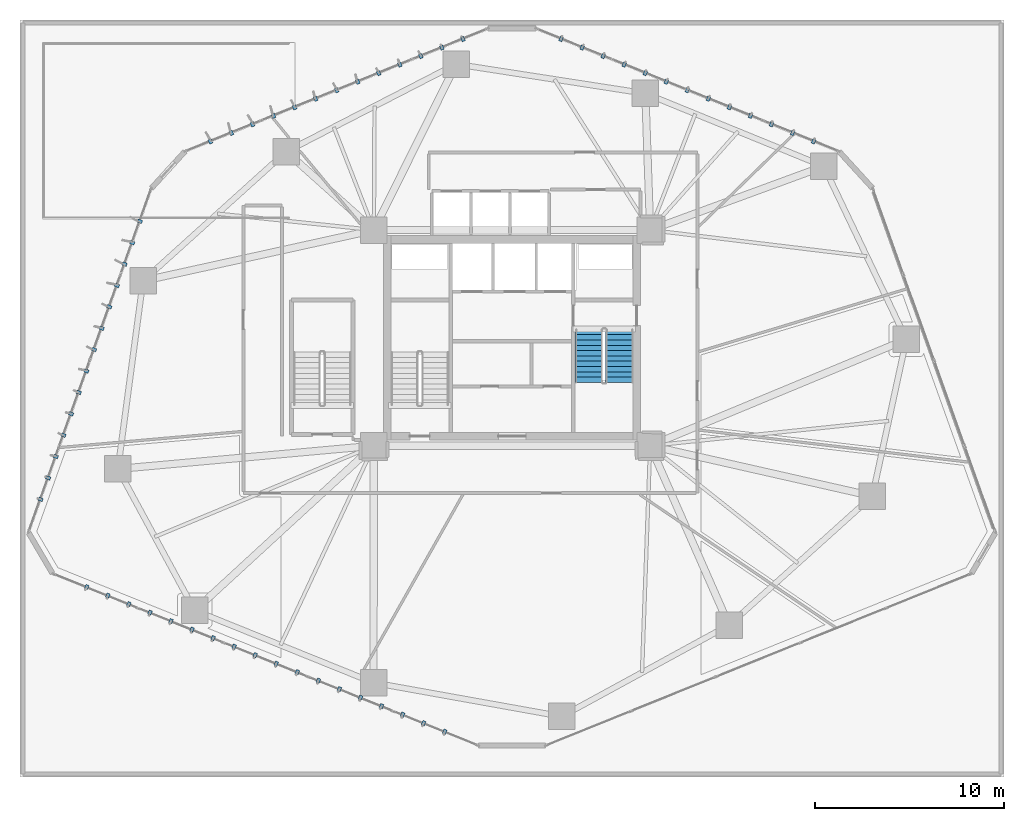
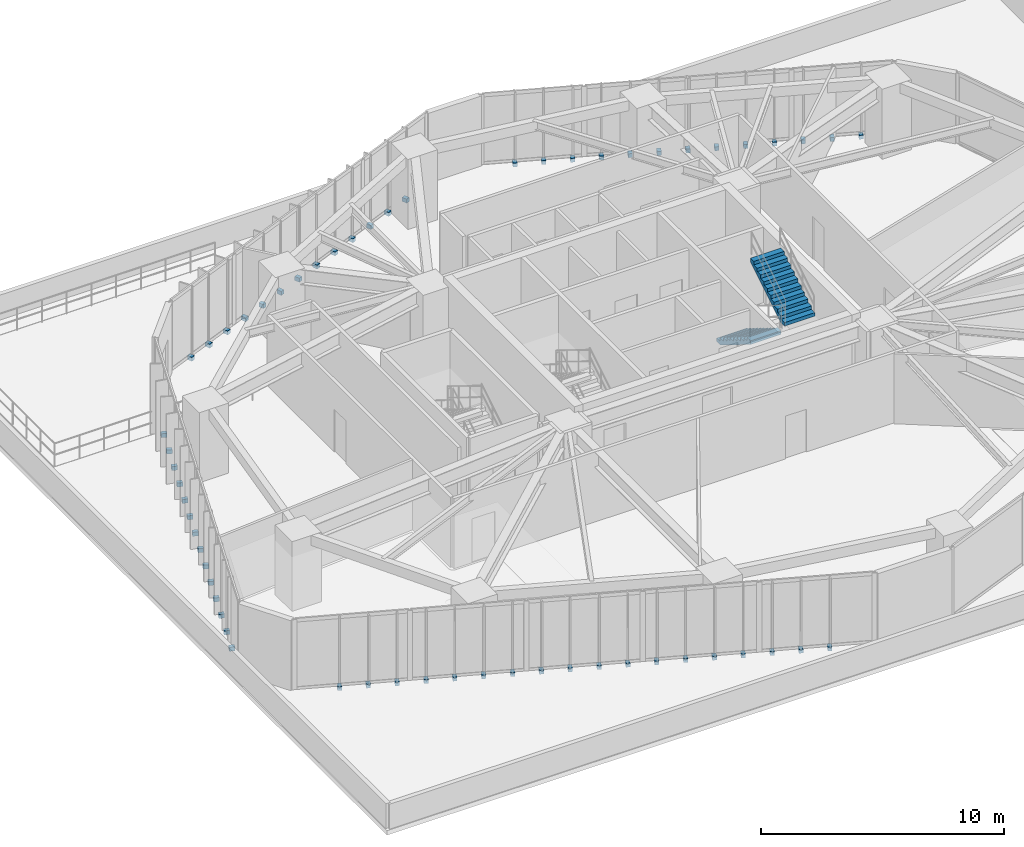
# One storey, part 20 of 23: 58 discrete accessories, 2 stair flights, 1 element without a shape of its own.
"""IFC4 building model written with IfcOpenShell, lengths in metres."""

from ifc_helpers import new_model, si_unit, direction, frame, origin, origin_2d, place, context, subcontext, project, spatial, polyline, rectangle, outline, extrude, source, transform, mapped, material, layer, layer_set, type_object, type_shapes, element, aggregate, save


model = new_model("IFC4")

# Units and contexts
model_context = context("Model", 3, precision=1e-05, world=origin(), true_north=direction((0.0, 1.0)))
body_context = subcontext(model_context, "Body", "Model", "MODEL_VIEW")
ifc_project = project(units=[si_unit("LENGTHUNIT", "METRE"), si_unit("AREAUNIT", "SQUARE_METRE"), si_unit("VOLUMEUNIT", "CUBIC_METRE"), si_unit("PLANEANGLEUNIT", "RADIAN"), si_unit("MASSUNIT", "GRAM", prefix="KILO")], contexts=[model_context])

# Site, building, storey
site_placement = place(None, origin())
site = spatial("IfcSite", under=ifc_project, at=site_placement, CompositionType="ELEMENT")
building_placement = place(site_placement, origin())
building = spatial("IfcBuilding", under=site, at=building_placement, Name="Talar Marvaseh", CompositionType="ELEMENT")
storey_placement = place(building_placement, frame((0.0, 0.0, 24.0)))
storey = spatial("IfcBuildingStorey", under=building, at=storey_placement, Name="L05", CompositionType="ELEMENT", Elevation=24.0)

# Stair, stair flights
ifc_material_1 = material(Name="Concrete C40/50", Category="concrete")
stair_type = type_object("IfcStairType", Name="Reinforced Concrete Half-Turn Exit Stair Type B", PredefinedType="HALF_TURN_STAIR", material=ifc_material_1)
stair_placement = place(storey_placement, origin())
stair = element("IfcStair", 1, at=stair_placement, inside=storey, type_object=stair_type, Name="L05 Tower East Core Exit Stair", PredefinedType="HALF_TURN_STAIR")
ifc_layer = layer(ifc_material_1, 0.159912109375)
ifc_layer_set = layer_set([ifc_layer], Name="Concrete C40/50")
stair_flight_type = type_object("IfcStairFlightType", Name="Reinforced Concrete Straight Stair Flight 160", PredefinedType="STRAIGHT", material=ifc_layer_set)
stair_flight_1_placement = place(storey_placement, frame((30.06494140625, 31.64990234375, 0.0), z_axis=(0.0, 0.0, 1.0), x_axis=(0.0, -1.0, 0.0)))
stair_flight_1 = element("IfcStairFlight", 2, at=stair_flight_1_placement, type_object=stair_flight_type, Name="ST-2 flight 1", NumberOfRisers=11, NumberOfTreads=10, PredefinedType="STRAIGHT", RiserHeight=0.172727273, TreadLength=0.28, context=body_context, shape_type="SweptSolid", body=[
    extrude(outline(polyline([(0.0, 0.0), (0.0, 0.172607421875), (0.280029296875, 0.172607421875), (0.280029296875, 0.345458984375), (0.56005859375, 0.345458984375), (0.56005859375, 0.51806640625), (0.840087890625, 0.51806640625), (0.840087890625, 0.69091796875), (1.1201171875, 0.69091796875), (1.1201171875, 0.863525390625), (1.39990234375, 0.863525390625), (1.39990234375, 1.036376953125), (1.679931640625, 1.036376953125), (1.679931640625, 1.208984375), (1.9599609375, 1.208984375), (1.9599609375, 1.3818359375), (2.239990234375, 1.3818359375), (2.239990234375, 1.554443359375), (2.52001953125, 1.554443359375), (2.52001953125, 1.727294921875), (2.800048828125, 1.727294921875), (2.800048828125, 1.89990234375), (2.800048828125, 1.539306640625), (0.3046875, 0.0), (0.0, 0.0)])), frame((0.0, 0.72509765625, 0.0), z_axis=(0.0, -1.0, 0.0), x_axis=(1.0, 0.0, 0.0)), (0.0, 0.0, 1.0), 1.449951171875),
])
stair_flight_2_placement = place(storey_placement, frame((31.675048828125, 28.85009765625, 1.89990234375), z_axis=(0.0, 0.0, 1.0), x_axis=(0.0, 1.0, 0.0)))
stair_flight_2 = element("IfcStairFlight", 3, at=stair_flight_2_placement, type_object=stair_flight_type, Name="ST-2 flight 2", NumberOfRisers=11, NumberOfTreads=10, PredefinedType="STRAIGHT", RiserHeight=0.172727273, TreadLength=0.28, context=body_context, shape_type="SweptSolid", body=[
    extrude(outline(polyline([(0.0, 0.0), (0.0, 0.172607421875), (0.280029296875, 0.172607421875), (0.280029296875, 0.345458984375), (0.56005859375, 0.345458984375), (0.56005859375, 0.51806640625), (0.840087890625, 0.51806640625), (0.840087890625, 0.69091796875), (1.1201171875, 0.69091796875), (1.1201171875, 0.863525390625), (1.39990234375, 0.863525390625), (1.39990234375, 1.036376953125), (1.679931640625, 1.036376953125), (1.679931640625, 1.208984375), (1.9599609375, 1.208984375), (1.9599609375, 1.3818359375), (2.239990234375, 1.3818359375), (2.239990234375, 1.554443359375), (2.52001953125, 1.554443359375), (2.52001953125, 1.727294921875), (2.800048828125, 1.727294921875), (2.800048828125, 1.89990234375), (2.800048828125, 1.539306640625), (0.3046875, 0.0), (0.0, 0.0)])), frame((0.0, 0.72509765625, 0.0), z_axis=(0.0, -1.0, 0.0), x_axis=(1.0, 0.0, 0.0)), (0.0, 0.0, 1.0), 1.449951171875),
])
aggregate(stair, [stair_flight_1, stair_flight_2])

# Discrete accessories
ifc_material_2 = material(Name="Stainless Steel Grade 316", Category="steel")
discrete_accessory_type = type_object("IfcDiscreteAccessoryType", Name="Stainless Slab-Edge Fin Mounting Bracket", PredefinedType="BRACKET", material=ifc_material_2)
shared_shape = source(origin(), body_context, "Body", "SweptSolid", [
    extrude(rectangle(XDim=0.239990234375, YDim=0.179931640625, at=origin_2d()), origin(), (0.0, 0.0, 1.0), 0.199951171875),
])
type_shapes(discrete_accessory_type, [shared_shape])
for number, where, z_axis, x_axis, name in (
    (4, (1.0888671875, 22.66796875, -0.18017578125), (0.0, 0.0, 1.0), (-0.941764357397, 0.33627354213, 0.0), "L05 Vertical Fin Slab-Edge Bracket"),
    (5, (1.492431640625, 23.798095703125, -0.18017578125), (0.0, 0.0, 1.0), (-0.941764357397, 0.33627354213, 0.0), "L05 Vertical Fin Slab-Edge Bracket"),
    (6, (1.89599609375, 24.927978515625, -0.18017578125), (0.0, 0.0, 1.0), (-0.941764357397, 0.33627354213, 0.0), "L05 Vertical Fin Slab-Edge Bracket"),
    (7, (2.2998046875, 26.05810546875, -0.18017578125), (0.0, 0.0, 1.0), (-0.941764357397, 0.33627354213, 0.0), "L05 Vertical Fin Slab-Edge Bracket"),
    (8, (2.703369140625, 27.188232421875, -0.18017578125), (0.0, 0.0, 1.0), (-0.941764357397, 0.33627354213, 0.0), "L05 Vertical Fin Slab-Edge Bracket"),
    (9, (3.10693359375, 28.318359375, -0.18017578125), (0.0, 0.0, 1.0), (-0.941764357397, 0.33627354213, 0.0), "L05 Vertical Fin Slab-Edge Bracket"),
    (10, (3.510498046875, 29.448486328125, -0.18017578125), (0.0, 0.0, 1.0), (-0.941764357397, 0.33627354213, 0.0), "L05 Vertical Fin Slab-Edge Bracket"),
    (11, (3.9140625, 30.57861328125, -0.18017578125), (0.0, 0.0, 1.0), (-0.941764357397, 0.33627354213, 0.0), "L05 Vertical Fin Slab-Edge Bracket"),
    (12, (4.317626953125, 31.70849609375, -0.18017578125), (0.0, 0.0, 1.0), (-0.941764357397, 0.33627354213, 0.0), "L05 Vertical Fin Slab-Edge Bracket"),
    (13, (4.72119140625, 32.838623046875, -0.18017578125), (0.0, 0.0, 1.0), (-0.941764357397, 0.33627354213, 0.0), "L05 Vertical Fin Slab-Edge Bracket"),
    (14, (5.125, 33.96875, -0.18017578125), (0.0, 0.0, 1.0), (-0.941764357397, 0.33627354213, 0.0), "L05 Vertical Fin Slab-Edge Bracket"),
    (15, (5.528564453125, 35.098876953125, -0.18017578125), (0.0, 0.0, 1.0), (-0.941764357397, 0.33627354213, 0.0), "L05 Vertical Fin Slab-Edge Bracket"),
    (16, (5.93212890625, 36.22900390625, -0.18017578125), (0.0, 0.0, 1.0), (-0.941764357397, 0.33627354213, 0.0), "L05 Vertical Fin Slab-Edge Bracket"),
    (17, (6.335693359375, 37.35888671875, -0.18017578125), (0.0, 0.0, 1.0), (-0.941764357397, 0.33627354213, 0.0), "L05 Vertical Fin Slab-Edge Bracket"),
    (18, (10.0625, 41.58203125, -0.18017578125), (0.0, 0.0, 1.0), (-0.375739082333, 0.92672549442, 0.0), "L05 Vertical Fin Slab-Edge Bracket"),
    (19, (11.174560546875, 42.03271484375, -0.18017578125), (0.0, 0.0, 1.0), (-0.375739082333, 0.92672549442, 0.0), "L05 Vertical Fin Slab-Edge Bracket"),
    (20, (12.28662109375, 42.483642578125, -0.18017578125), (0.0, 0.0, 1.0), (-0.375739082333, 0.92672549442, 0.0), "L05 Vertical Fin Slab-Edge Bracket"),
    (21, (13.398681640625, 42.9345703125, -0.18017578125), (0.0, 0.0, 1.0), (-0.375739082333, 0.92672549442, 0.0), "L05 Vertical Fin Slab-Edge Bracket"),
    (22, (14.5107421875, 43.385498046875, -0.18017578125), (0.0, 0.0, 1.0), (-0.375739082333, 0.92672549442, 0.0), "L05 Vertical Fin Slab-Edge Bracket"),
    (23, (15.622802734375, 43.836181640625, -0.18017578125), (0.0, 0.0, 1.0), (-0.375739082333, 0.92672549442, 0.0), "L05 Vertical Fin Slab-Edge Bracket"),
    (24, (16.735107421875, 44.287109375, -0.18017578125), (0.0, 0.0, 1.0), (-0.375739082333, 0.92672549442, 0.0), "L05 Vertical Fin Slab-Edge Bracket"),
    (25, (17.84716796875, 44.73779296875, -0.18017578125), (0.0, 0.0, 1.0), (-0.375739082333, 0.92672549442, 0.0), "L05 Vertical Fin Slab-Edge Bracket"),
    (26, (18.958984375, 45.188720703125, -0.18017578125), (0.0, 0.0, 1.0), (-0.375739082333, 0.92672549442, 0.0), "L05 Vertical Fin Slab-Edge Bracket"),
    (27, (20.0712890625, 45.6396484375, -0.18017578125), (0.0, 0.0, 1.0), (-0.375739082333, 0.92672549442, 0.0), "L05 Vertical Fin Slab-Edge Bracket"),
    (28, (21.183349609375, 46.090576171875, -0.18017578125), (0.0, 0.0, 1.0), (-0.375739082333, 0.92672549442, 0.0), "L05 Vertical Fin Slab-Edge Bracket"),
    (29, (22.29541015625, 46.541259765625, -0.18017578125), (0.0, 0.0, 1.0), (-0.375739082333, 0.92672549442, 0.0), "L05 Vertical Fin Slab-Edge Bracket"),
    (30, (23.407470703125, 46.9921875, -0.18017578125), (0.0, 0.0, 1.0), (-0.375739082333, 0.92672549442, 0.0), "L05 Vertical Fin Slab-Edge Bracket"),
    (31, (28.592529296875, 46.9921875, -0.18017578125), (0.0, 0.0, 1.0), (0.375739082333, 0.92672549442, 0.0), "L05 Vertical Fin Slab-Edge Bracket"),
    (32, (29.70458984375, 46.541259765625, -0.18017578125), (0.0, 0.0, 1.0), (0.375739082333, 0.92672549442, 0.0), "L05 Vertical Fin Slab-Edge Bracket"),
    (33, (30.816650390625, 46.090576171875, -0.18017578125), (0.0, 0.0, 1.0), (0.375739082333, 0.92672549442, 0.0), "L05 Vertical Fin Slab-Edge Bracket"),
    (34, (31.9287109375, 45.6396484375, -0.18017578125), (0.0, 0.0, 1.0), (0.375739082333, 0.92672549442, 0.0), "L05 Vertical Fin Slab-Edge Bracket"),
    (35, (33.041015625, 45.188720703125, -0.18017578125), (0.0, 0.0, 1.0), (0.375739082333, 0.92672549442, 0.0), "L05 Vertical Fin Slab-Edge Bracket"),
    (36, (34.15283203125, 44.73779296875, -0.18017578125), (0.0, 0.0, 1.0), (0.375739082333, 0.92672549442, 0.0), "L05 Vertical Fin Slab-Edge Bracket"),
    (37, (35.264892578125, 44.287109375, -0.18017578125), (0.0, 0.0, 1.0), (0.375739082333, 0.92672549442, 0.0), "L05 Vertical Fin Slab-Edge Bracket"),
    (38, (36.377197265625, 43.836181640625, -0.18017578125), (0.0, 0.0, 1.0), (0.375739082333, 0.92672549442, 0.0), "L05 Vertical Fin Slab-Edge Bracket"),
    (39, (37.4892578125, 43.385498046875, -0.18017578125), (0.0, 0.0, 1.0), (0.375739082333, 0.92672549442, 0.0), "L05 Vertical Fin Slab-Edge Bracket"),
    (40, (38.601318359375, 42.9345703125, -0.18017578125), (0.0, 0.0, 1.0), (0.375739082333, 0.92672549442, 0.0), "L05 Vertical Fin Slab-Edge Bracket"),
    (41, (39.71337890625, 42.483642578125, -0.18017578125), (0.0, 0.0, 1.0), (0.375739082333, 0.92672549442, 0.0), "L05 Vertical Fin Slab-Edge Bracket"),
    (42, (40.825439453125, 42.03271484375, -0.18017578125), (0.0, 0.0, 1.0), (0.375739082333, 0.92672549442, 0.0), "L05 Vertical Fin Slab-Edge Bracket"),
    (43, (41.9375, 41.58203125, -0.18017578125), (0.0, 0.0, 1.0), (0.375739082333, 0.92672549442, 0.0), "L05 Vertical Fin Slab-Edge Bracket"),
    (44, (22.44287109375, 10.393310546875, -0.18017578125), (0.0, 0.0, 1.0), (-0.374444763601, -0.927249221629, 0.0), "L05 Vertical Fin Slab-Edge Bracket"),
    (45, (21.330078125, 10.8427734375, -0.18017578125), (0.0, 0.0, 1.0), (-0.374444763601, -0.927249221629, 0.0), "L05 Vertical Fin Slab-Edge Bracket"),
    (46, (20.217529296875, 11.2919921875, -0.18017578125), (0.0, 0.0, 1.0), (-0.374444763601, -0.927249221629, 0.0), "L05 Vertical Fin Slab-Edge Bracket"),
    (47, (19.104736328125, 11.741455078125, -0.18017578125), (0.0, 0.0, 1.0), (-0.374444763601, -0.927249221629, 0.0), "L05 Vertical Fin Slab-Edge Bracket"),
    (48, (17.9921875, 12.19091796875, -0.18017578125), (0.0, 0.0, 1.0), (-0.374444763601, -0.927249221629, 0.0), "L05 Vertical Fin Slab-Edge Bracket"),
    (49, (16.87939453125, 12.64013671875, -0.18017578125), (0.0, 0.0, 1.0), (-0.374444763601, -0.927249221629, 0.0), "L05 Vertical Fin Slab-Edge Bracket"),
    (50, (15.7666015625, 13.089599609375, -0.18017578125), (0.0, 0.0, 1.0), (-0.374444763601, -0.927249221629, 0.0), "L05 Vertical Fin Slab-Edge Bracket"),
    (51, (14.654052734375, 13.538818359375, -0.18017578125), (0.0, 0.0, 1.0), (-0.374444763601, -0.927249221629, 0.0), "L05 Vertical Fin Slab-Edge Bracket"),
    (52, (13.54150390625, 13.98828125, -0.18017578125), (0.0, 0.0, 1.0), (-0.374444763601, -0.927249221629, 0.0), "L05 Vertical Fin Slab-Edge Bracket"),
    (53, (12.4287109375, 14.4375, -0.18017578125), (0.0, 0.0, 1.0), (-0.374444763601, -0.927249221629, 0.0), "L05 Vertical Fin Slab-Edge Bracket"),
    (54, (11.31591796875, 14.886962890625, -0.18017578125), (0.0, 0.0, 1.0), (-0.374444763601, -0.927249221629, 0.0), "L05 Vertical Fin Slab-Edge Bracket"),
    (55, (10.203369140625, 15.336181640625, -0.18017578125), (0.0, 0.0, 1.0), (-0.374444763601, -0.927249221629, 0.0), "L05 Vertical Fin Slab-Edge Bracket"),
    (56, (9.090576171875, 15.78564453125, -0.18017578125), (0.0, 0.0, 1.0), (-0.374444763601, -0.927249221629, 0.0), "L05 Vertical Fin Slab-Edge Bracket"),
    (57, (7.977783203125, 16.235107421875, -0.18017578125), (0.0, 0.0, 1.0), (-0.374444763601, -0.927249221629, 0.0), "L05 Vertical Fin Slab-Edge Bracket"),
    (58, (6.865234375, 16.684326171875, -0.18017578125), (0.0, 0.0, 1.0), (-0.374444763601, -0.927249221629, 0.0), "L05 Vertical Fin Slab-Edge Bracket"),
    (59, (5.75244140625, 17.1337890625, -0.18017578125), (0.0, 0.0, 1.0), (-0.374444763601, -0.927249221629, 0.0), "L05 Vertical Fin Slab-Edge Bracket"),
    (60, (4.639892578125, 17.5830078125, -0.18017578125), (0.0, 0.0, 1.0), (-0.374444763601, -0.927249221629, 0.0), "L05 Vertical Fin Slab-Edge Bracket"),
    (61, (3.527099609375, 18.032470703125, -0.18017578125), (0.0, 0.0, 1.0), (-0.374444763601, -0.927249221629, 0.0), "L05 Vertical Fin Slab-Edge Bracket"),
):
    element("IfcDiscreteAccessory", number, at=place(storey_placement, frame(where, z_axis=z_axis, x_axis=x_axis)), inside=storey, type_object=discrete_accessory_type, Name=name, PredefinedType="BRACKET", context=body_context, shape_type="MappedRepresentation", body=[
        mapped(shared_shape, transform((0.0, 0.0, 0.0), x_axis=(1.0, 0.0, 0.0), y_axis=(0.0, 1.0, 0.0), z_axis=(0.0, 0.0, 1.0), scale=1.0)),
    ])

save(model, "model.ifc")
